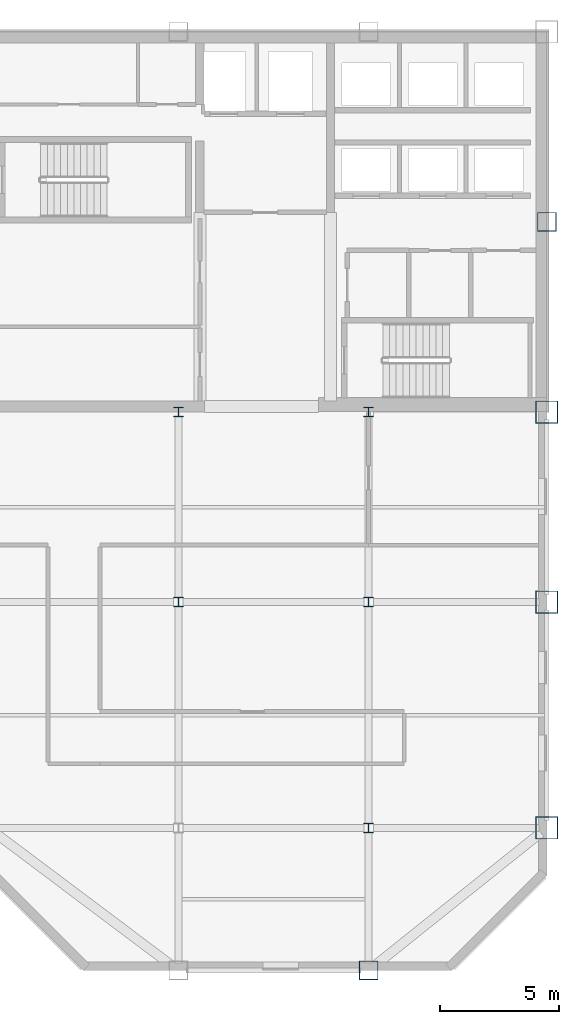
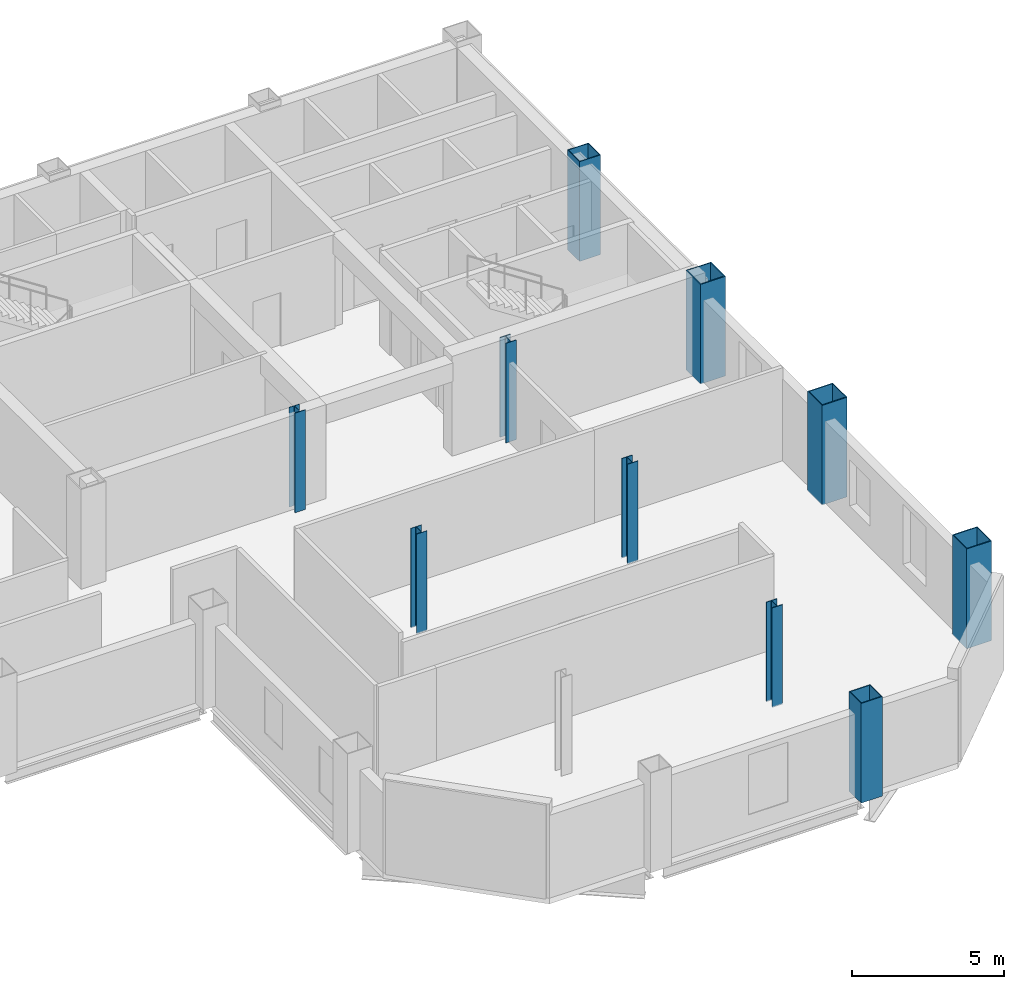
# One storey, part 2 of 10: 10 columns.
"""IFC4 building model written with IfcOpenShell, lengths in metres."""

from ifc_helpers import new_model, si_unit, direction, frame, origin, origin_2d, place, context, subcontext, project, spatial, hollow_rectangle, i_section, extrude, material, material_profile, profile_set, type_object, element, save


model = new_model("IFC4")

# Units and contexts
model_context = context("Model", 3, precision=1e-05, world=origin(), true_north=direction((0.0, 1.0)))
body_context = subcontext(model_context, "Body", "Model", "MODEL_VIEW")
ifc_project = project(units=[si_unit("LENGTHUNIT", "METRE"), si_unit("AREAUNIT", "SQUARE_METRE"), si_unit("VOLUMEUNIT", "CUBIC_METRE"), si_unit("PLANEANGLEUNIT", "RADIAN"), si_unit("MASSUNIT", "GRAM", prefix="KILO")], contexts=[model_context])

# Site, building, storey
site_placement = place(None, origin())
site = spatial("IfcSite", under=ifc_project, at=site_placement, CompositionType="ELEMENT")
building_placement = place(site_placement, origin())
building = spatial("IfcBuilding", under=site, at=building_placement, Name="Qianrong Seaharbour Tower", CompositionType="ELEMENT")
storey_placement = place(building_placement, frame((0.0, 0.0, 257.800048828125)))
storey = spatial("IfcBuildingStorey", under=building, at=storey_placement, Name="L62", CompositionType="ELEMENT", Elevation=257.800048828125)

# Columns
ifc_material = material(Name="Structural steel SN490B", Category="steel")
ifc_material_profile_1 = material_profile(ifc_material, hollow_rectangle(XDim=0.949951171875, YDim=0.949951171875, WallThickness=0.035888671875, at=origin_2d()), Name="BOX950x950x36")
ifc_profile_set_1 = profile_set([ifc_material_profile_1], Name="Structural steel SN490B")
column_type_1 = type_object("IfcColumnType", Name="COL-CFT-950", PredefinedType="COLUMN", material=ifc_profile_set_1)
for number, where, z_axis, x_axis, name in (
    (1, (64.0, 18.5, 0.0), (0.0, 0.0, 1.0), (1.0, 0.0, 0.0), "L62 Column MC-4 at G9/GD"),
    (2, (64.0, 28.0, 0.0), (0.0, 0.0, 1.0), (1.0, 0.0, 0.0), "L62 Column MC-4 at G9/GE"),
    (3, (64.0, 36.0, 0.0), (0.0, 0.0, 1.0), (1.0, 0.0, 0.0), "L62 Column MC-4 at G9/GF"),
):
    element("IfcColumn", number, at=place(storey_placement, frame(where, z_axis=z_axis, x_axis=x_axis)), inside=storey, type_object=column_type_1, Name=name, PredefinedType="COLUMN", context=body_context, shape_type="SweptSolid", body=[
        extrude(hollow_rectangle(XDim=0.949951171875, YDim=0.949951171875, WallThickness=0.035888671875, at=origin_2d()), origin(), (0.0, 0.0, 1.0), 4.0),
    ])
ifc_material_profile_2 = material_profile(ifc_material, i_section(OverallWidth=0.39990234375, OverallDepth=0.39990234375, WebThickness=0.012939453125, FlangeThickness=0.02099609375, FilletRadius=0.02197265625, at=origin_2d()), Name="H400x400x13x21")
ifc_profile_set_2 = profile_set([ifc_material_profile_2], Name="Structural steel SN490B")
column_type_2 = type_object("IfcColumnType", Name="COL-INT-H400", PredefinedType="COLUMN", material=ifc_profile_set_2)
for number, where, z_axis, x_axis, name in (
    (4, (48.5, 28.0, 0.0), (0.0, 0.0, 1.0), (1.0, 0.0, 0.0), "L62 Column IC-3 at G7/GE"),
    (5, (48.5, 36.0, 0.0), (0.0, 0.0, 1.0), (1.0, 0.0, 0.0), "L62 Column IC-3 at G7/GF"),
    (6, (56.5, 18.5, 0.0), (0.0, 0.0, 1.0), (1.0, 0.0, 0.0), "L62 Column IC-3 at G8/GD"),
    (7, (56.5, 28.0, 0.0), (0.0, 0.0, 1.0), (1.0, 0.0, 0.0), "L62 Column IC-3 at G8/GE"),
    (8, (56.5, 36.0, 0.0), (0.0, 0.0, 1.0), (1.0, 0.0, 0.0), "L62 Column IC-3 at G8/GF"),
):
    element("IfcColumn", number, at=place(storey_placement, frame(where, z_axis=z_axis, x_axis=x_axis)), inside=storey, type_object=column_type_2, Name=name, PredefinedType="COLUMN", context=body_context, shape_type="SweptSolid", body=[
        extrude(i_section(OverallWidth=0.39990234375, OverallDepth=0.39990234375, WebThickness=0.012939453125, FlangeThickness=0.02099609375, FilletRadius=0.02197265625, at=origin_2d()), origin(), (0.0, 0.0, 1.0), 4.0),
    ])
ifc_material_profile_3 = material_profile(ifc_material, hollow_rectangle(XDim=0.800048828125, YDim=0.800048828125, WallThickness=0.031982421875, at=origin_2d()), Name="BOX800x800x32")
ifc_profile_set_3 = profile_set([ifc_material_profile_3], Name="Structural steel SN490B")
column_type_3 = type_object("IfcColumnType", Name="COL-PER-800", PredefinedType="COLUMN", material=ifc_profile_set_3)
for number, where, z_axis, x_axis, name in (
    (9, (56.5, 12.5, 0.0), (0.0, 0.0, 1.0), (1.0, 0.0, 0.0), "L62 Column PC-3 at G8/GC"),
    (10, (64.0, 44.0, 0.0), (0.0, 0.0, 1.0), (1.0, 0.0, 0.0), "L62 Column PC-3 at G9/GG"),
):
    element("IfcColumn", number, at=place(storey_placement, frame(where, z_axis=z_axis, x_axis=x_axis)), inside=storey, type_object=column_type_3, Name=name, PredefinedType="COLUMN", context=body_context, shape_type="SweptSolid", body=[
        extrude(hollow_rectangle(XDim=0.800048828125, YDim=0.800048828125, WallThickness=0.031982421875, at=origin_2d()), origin(), (0.0, 0.0, 1.0), 4.0),
    ])

save(model, "model.ifc")
